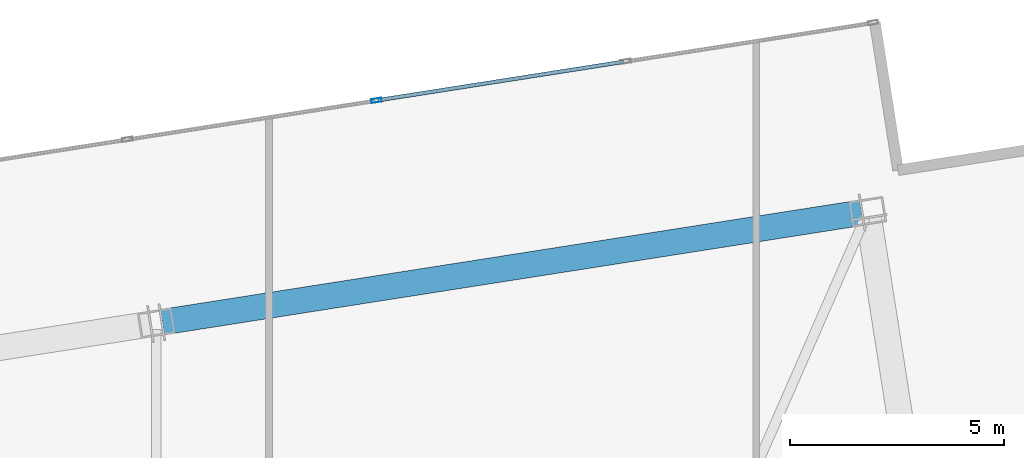
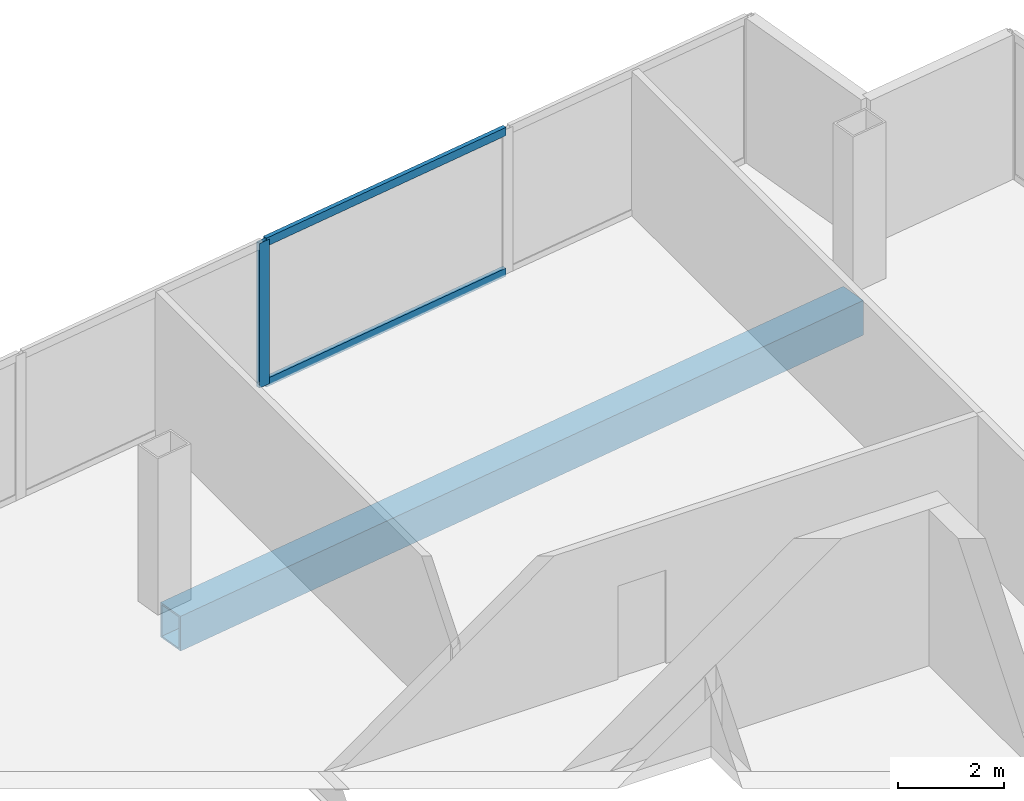
# One storey, part 12 of 17: 3 members, 1 beam, 1 element without a shape of its own.
"""IFC4 building model written with IfcOpenShell, lengths in metres."""

from ifc_helpers import new_model, si_unit, direction, frame, origin, origin_2d, place, context, subcontext, project, spatial, hollow_rectangle, extrude, material, material_profile, profile_set, type_object, element, aggregate, save


model = new_model("IFC4")

# Units and contexts
model_context = context("Model", 3, precision=1e-05, world=origin(), true_north=direction((0.0, 1.0)))
body_context = subcontext(model_context, "Body", "Model", "MODEL_VIEW")
ifc_project = project(units=[si_unit("LENGTHUNIT", "METRE"), si_unit("AREAUNIT", "SQUARE_METRE"), si_unit("VOLUMEUNIT", "CUBIC_METRE"), si_unit("PLANEANGLEUNIT", "RADIAN"), si_unit("MASSUNIT", "GRAM", prefix="KILO")], contexts=[model_context])

# Site, building, storey
site_placement = place(None, origin())
site = spatial("IfcSite", under=ifc_project, at=site_placement, CompositionType="ELEMENT")
building_placement = place(site_placement, origin())
building = spatial("IfcBuilding", under=site, at=building_placement, Name="Haldenkirk Collegiate Tower", CompositionType="ELEMENT")
storey_placement = place(building_placement, frame((0.0, 0.0, 367.800048828125)))
storey = spatial("IfcBuildingStorey", under=building, at=storey_placement, Name="L93", CompositionType="ELEMENT", Elevation=367.800048828125)

# Beam
ifc_material_1 = material(Name="Steel ASTM A572 Grade 50", Category="steel")
ifc_material_profile_1 = material_profile(ifc_material_1, hollow_rectangle(XDim=0.60009765625, YDim=0.800048828125, WallThickness=0.0400390625, at=origin_2d()), Name="BOX800X600X40")
ifc_profile_set_1 = profile_set([ifc_material_profile_1], Name="Steel ASTM A572 Grade 50")
beam_type = type_object("IfcBeamType", Name="BM-SPANDREL-BOX800X600X40", PredefinedType="SPANDREL", material=ifc_profile_set_1)
beam_placement = place(storey_placement, frame((49.861083984375, 45.428466796875, -0.670166015625), z_axis=(-0.987958818005, -0.154717077036, 0.0), x_axis=(0.154717077036, -0.987958818005, 0.0)))
element("IfcBeam", 1, at=beam_placement, inside=storey, type_object=beam_type, Name="L93 Crown Ring Frame perimeter girder 3", PredefinedType="SPANDREL", context=body_context, shape_type="SweptSolid", body=[
    extrude(hollow_rectangle(XDim=0.60009765625, YDim=0.800048828125, WallThickness=0.0400390625, at=origin_2d()), origin(), (0.0, 0.0, 1.0), 16.5498046875),
])

# Curtain wall, members
ifc_material_2 = material(Name="Anodised architectural bronze aluminium", Category="aluminium")
curtain_wall_type = type_object("IfcCurtainWallType", Name="CW-SYS6-CROWN", PredefinedType="USERDEFINED", material=ifc_material_2)
curtain_wall_placement = place(storey_placement, origin())
curtain_wall = element("IfcCurtainWall", 2, at=curtain_wall_placement, inside=storey, type_object=curtain_wall_type, Name="L93 Closed crown ring ceramic-fritted bronze screen curtain wall", ObjectType="UNITISED CURTAIN WALL", PredefinedType="USERDEFINED")
ifc_material_profile_2 = material_profile(ifc_material_2, hollow_rectangle(XDim=0.090087890625, YDim=0.239990234375, WallThickness=0.0048828125, at=origin_2d()), Name="CW-MUL-06")
ifc_profile_set_2 = profile_set([ifc_material_profile_2], Name="Anodised architectural bronze aluminium")
member_type_1 = type_object("IfcMemberType", Name="CW-MUL-06", PredefinedType="MULLION", material=ifc_profile_set_2)
member_1_placement = place(storey_placement, frame((38.51806640625, 48.05517578125, 0.0), z_axis=(0.0, 0.0, 1.0), x_axis=(-0.154708982189, 0.987960085646, 0.0)))
member_1 = element("IfcMember", 3, at=member_1_placement, type_object=member_type_1, Name="CW-06 mullion 5", PredefinedType="MULLION", context=body_context, shape_type="SweptSolid", body=[
    extrude(hollow_rectangle(XDim=0.090087890625, YDim=0.239990234375, WallThickness=0.0048828125, at=origin_2d()), origin(), (0.0, 0.0, 1.0), 3.329833984375),
])
ifc_material_profile_3 = material_profile(ifc_material_2, hollow_rectangle(XDim=0.090087890625, YDim=0.18994140625, WallThickness=0.0048828125, at=origin_2d()), Name="CW-TRN-06")
ifc_profile_set_3 = profile_set([ifc_material_profile_3], Name="Anodised architectural bronze aluminium")
member_type_2 = type_object("IfcMemberType", Name="CW-TRN-06", PredefinedType="USERDEFINED", material=ifc_profile_set_3)
member_2_placement = place(storey_placement, frame((38.562744140625, 48.06201171875, 0.044921875), z_axis=(0.987958095237, 0.154721692257, 0.0), x_axis=(-0.154721692257, 0.987958095237, 0.0)))
member_2 = element("IfcMember", 4, at=member_2_placement, type_object=member_type_2, Name="CW-06 transom 5.1", ObjectType="TRANSOM", PredefinedType="USERDEFINED", context=body_context, shape_type="SweptSolid", body=[
    extrude(hollow_rectangle(XDim=0.090087890625, YDim=0.18994140625, WallThickness=0.0048828125, at=origin_2d()), origin(), (0.0, 0.0, 1.0), 5.81005859375),
])
member_3_placement = place(storey_placement, frame((38.562744140625, 48.06201171875, 3.284912109375), z_axis=(0.987958095237, 0.154721692257, 0.0), x_axis=(-0.154721692257, 0.987958095237, 0.0)))
member_3 = element("IfcMember", 5, at=member_3_placement, type_object=member_type_2, Name="CW-06 transom 5.2", ObjectType="TRANSOM", PredefinedType="USERDEFINED", context=body_context, shape_type="SweptSolid", body=[
    extrude(hollow_rectangle(XDim=0.090087890625, YDim=0.18994140625, WallThickness=0.0048828125, at=origin_2d()), origin(), (0.0, 0.0, 1.0), 5.81005859375),
])
aggregate(curtain_wall, [member_1, member_2, member_3])

save(model, "model.ifc")
